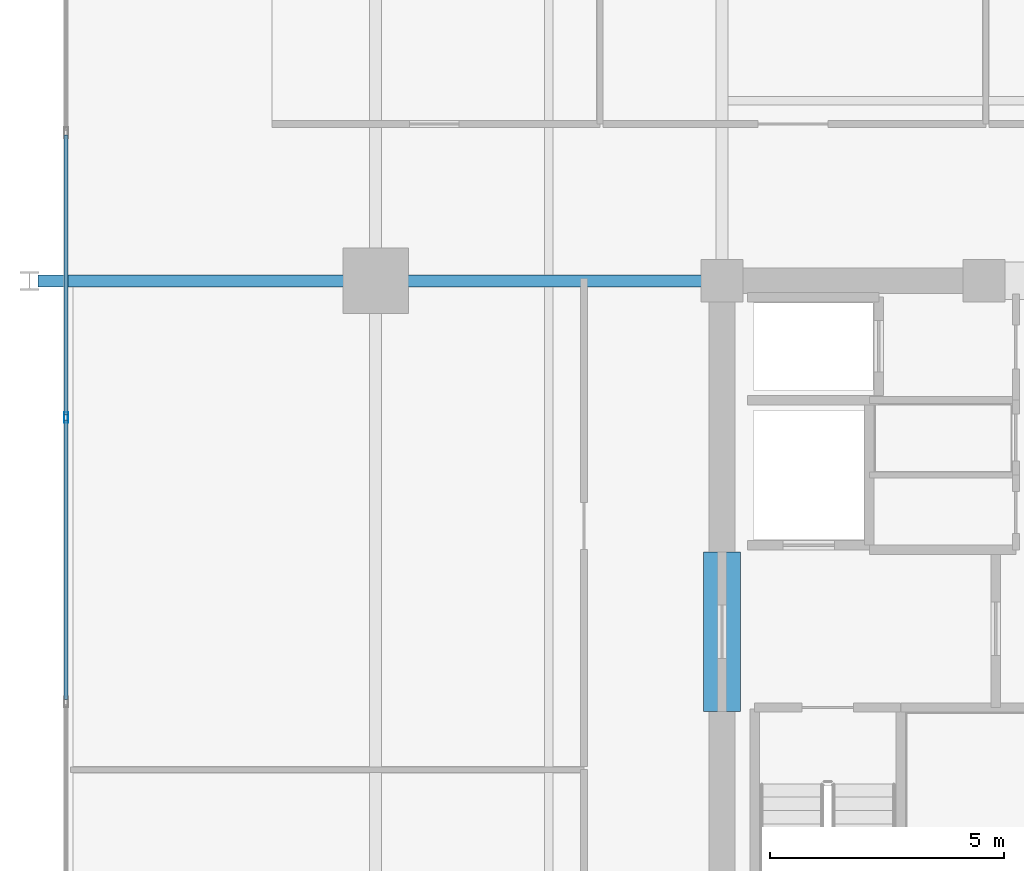
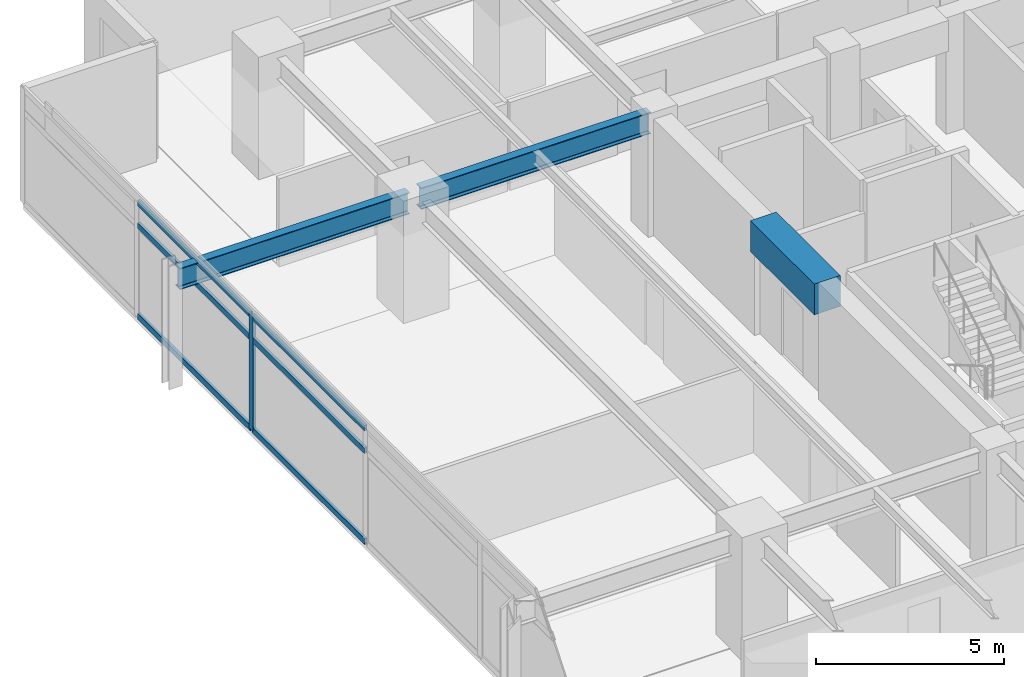
# One storey, part 7 of 21: 7 members, 3 beams, 1 element without a shape of its own.
"""IFC4 building model written with IfcOpenShell, lengths in metres."""

from ifc_helpers import new_model, si_unit, direction, frame, origin, origin_2d, place, context, subcontext, project, spatial, rectangle, hollow_rectangle, i_section, extrude, material, material_profile, profile_set, type_object, element, aggregate, save


model = new_model("IFC4")

# Units and contexts
model_context = context("Model", 3, precision=1e-05, world=origin(), true_north=direction((0.0, 1.0)))
body_context = subcontext(model_context, "Body", "Model", "MODEL_VIEW")
ifc_project = project(units=[si_unit("LENGTHUNIT", "METRE"), si_unit("AREAUNIT", "SQUARE_METRE"), si_unit("VOLUMEUNIT", "CUBIC_METRE"), si_unit("PLANEANGLEUNIT", "RADIAN"), si_unit("MASSUNIT", "GRAM", prefix="KILO")], contexts=[model_context])

# Site, building, storey
site_placement = place(None, origin())
site = spatial("IfcSite", under=ifc_project, at=site_placement, CompositionType="ELEMENT")
building_placement = place(site_placement, origin())
building = spatial("IfcBuilding", under=site, at=building_placement, Name="Kovane Verandah Tower", CompositionType="ELEMENT")
storey_placement = place(building_placement, frame((0.0, 0.0, 209.199951171875)))
storey = spatial("IfcBuildingStorey", under=building, at=storey_placement, Name="L48", CompositionType="ELEMENT", Elevation=209.199951171875)

# Beams
ifc_material_1 = material(Name="Concrete C60/75", Category="concrete")
ifc_material_profile_1 = material_profile(ifc_material_1, rectangle(XDim=0.800048828125, YDim=1.0, at=origin_2d()), Name="RCB800x1000")
ifc_profile_set_1 = profile_set([ifc_material_profile_1], Name="Concrete C60/75")
beam_type_1 = type_object("IfcBeamType", Name="BM-LINTEL-800x1000", PredefinedType="LINTEL", material=ifc_profile_set_1)
beam_placement = place(storey_placement, frame((29.0, 27.300048828125, 3.275146484375), z_axis=(0.0, 1.0, 0.0), x_axis=(-1.0, 0.0, 0.0)))
element("IfcBeam", 1, at=beam_placement, inside=storey, type_object=beam_type_1, Name="L48 Core Coupling Lintel CL-W", PredefinedType="LINTEL", context=body_context, shape_type="SweptSolid", body=[
    extrude(rectangle(XDim=0.800048828125, YDim=1.0, at=origin_2d()), origin(), (0.0, 0.0, 1.0), 3.39990234375),
])
ifc_material_2 = material(Name="Steel S355", Category="steel")
ifc_material_profile_2 = material_profile(ifc_material_2, i_section(OverallWidth=0.255859375, OverallDepth=0.69287109375, WebThickness=0.014404296875, FlangeThickness=0.023681640625, FilletRadius=0.01513671875, at=origin_2d()), Name="UB686x254x170")
ifc_profile_set_2 = profile_set([ifc_material_profile_2], Name="Steel S355")
beam_type_2 = type_object("IfcBeamType", Name="BM-UB686x170", PredefinedType="BEAM", material=ifc_profile_set_2)
for number, where, z_axis, x_axis, name in (
    (2, (28.820068359375, 36.5, 3.428466796875), (-1.0, 0.0, 0.0), (0.0, -1.0, 0.0), "L48 Primary Tower Girder G-W2"),
    (3, (21.419921875, 36.5, 3.41357421875), (-1.0, 0.0, 0.0), (0.0, -1.0, 0.0), "L48 Primary Tower Girder G-VW2"),
):
    element("IfcBeam", number, at=place(storey_placement, frame(where, z_axis=z_axis, x_axis=x_axis)), inside=storey, type_object=beam_type_2, Name=name, PredefinedType="BEAM", context=body_context, shape_type="SweptSolid", body=[
        extrude(i_section(OverallWidth=0.255859375, OverallDepth=0.69287109375, WebThickness=0.014404296875, FlangeThickness=0.023681640625, FilletRadius=0.01513671875, at=origin_2d()), origin(), (0.0, 0.0, 1.0), 7.0400390625),
    ])

# Curtain wall, members
ifc_material_3 = material(Name="Champagne Anodised Aluminium Frame with Low-E Clear Laminated Glass", Category="aluminium")
curtain_wall_type = type_object("IfcCurtainWallType", Name="CW-SYS-03-MID", PredefinedType="NOTDEFINED", material=ifc_material_3)
curtain_wall_placement = place(storey_placement, origin())
curtain_wall = element("IfcCurtainWall", 4, at=curtain_wall_placement, inside=storey, type_object=curtain_wall_type, Name="L48 W Unitised Curtain Wall", PredefinedType="NOTDEFINED")
ifc_material_4 = material(Name="Champagne Anodised Aluminium 6063-T6", Category="aluminium")
ifc_material_profile_3 = material_profile(ifc_material_4, hollow_rectangle(XDim=0.0849609375, YDim=0.22998046875, WallThickness=0.00390625, at=origin_2d()), Name="AL85x230x4")
ifc_profile_set_3 = profile_set([ifc_material_profile_3], Name="Champagne Anodised Aluminium 6063-T6")
member_type_1 = type_object("IfcMemberType", Name="CW-MUL-85x230", PredefinedType="MULLION", material=ifc_profile_set_3)
member_1_placement = place(storey_placement, frame((14.982177734375, 33.58056640625, 0.02001953125), z_axis=(0.0, 0.0, 1.0), x_axis=(-1.0, 0.0, 0.0)))
member_1 = element("IfcMember", 5, at=member_1_placement, type_object=member_type_1, Name="L48 W Unitised Curtain Wall Mullion 3", PredefinedType="MULLION", context=body_context, shape_type="SweptSolid", body=[
    extrude(hollow_rectangle(XDim=0.0849609375, YDim=0.22998046875, WallThickness=0.00390625, at=origin_2d()), origin(), (0.0, 0.0, 1.0), 3.735107421875),
])
ifc_material_profile_4 = material_profile(ifc_material_4, hollow_rectangle(XDim=0.0849609375, YDim=0.18994140625, WallThickness=0.00390625, at=origin_2d()), Name="AL85x190x4")
ifc_profile_set_4 = profile_set([ifc_material_profile_4], Name="Champagne Anodised Aluminium 6063-T6")
member_type_2 = type_object("IfcMemberType", Name="CW-TRN-85x190", PredefinedType="USERDEFINED", material=ifc_profile_set_4)
member_2_placement = place(storey_placement, frame((14.982177734375, 39.611083984375, 0.050048828125), z_axis=(0.0, -1.0, 0.0), x_axis=(1.0, 0.0, 0.0)))
member_2 = element("IfcMember", 6, at=member_2_placement, type_object=member_type_2, Name="L48 W Unitised Curtain Wall Transom TB Bay 2", ObjectType="TRANSOM", PredefinedType="USERDEFINED", context=body_context, shape_type="SweptSolid", body=[
    extrude(hollow_rectangle(XDim=0.0849609375, YDim=0.18994140625, WallThickness=0.00390625, at=origin_2d()), origin(), (0.0, 0.0, 1.0), 5.98046875),
])
member_3_placement = place(storey_placement, frame((14.982177734375, 39.611083984375, 2.9951171875), z_axis=(0.0, -1.0, 0.0), x_axis=(1.0, 0.0, 0.0)))
member_3 = element("IfcMember", 7, at=member_3_placement, type_object=member_type_2, Name="L48 W Unitised Curtain Wall Transom TM Bay 2", ObjectType="TRANSOM", PredefinedType="USERDEFINED", context=body_context, shape_type="SweptSolid", body=[
    extrude(hollow_rectangle(XDim=0.0849609375, YDim=0.18994140625, WallThickness=0.00390625, at=origin_2d()), origin(), (0.0, 0.0, 1.0), 5.98046875),
])
member_4_placement = place(storey_placement, frame((14.982177734375, 39.611083984375, 3.72509765625), z_axis=(0.0, -1.0, 0.0), x_axis=(1.0, 0.0, 0.0)))
member_4 = element("IfcMember", 8, at=member_4_placement, type_object=member_type_2, Name="L48 W Unitised Curtain Wall Transom TT Bay 2", ObjectType="TRANSOM", PredefinedType="USERDEFINED", context=body_context, shape_type="SweptSolid", body=[
    extrude(hollow_rectangle(XDim=0.0849609375, YDim=0.18994140625, WallThickness=0.00390625, at=origin_2d()), origin(), (0.0, 0.0, 1.0), 5.98046875),
])
member_5_placement = place(storey_placement, frame((14.982177734375, 33.530517578125, 0.050048828125), z_axis=(0.0, -1.0, 0.0), x_axis=(1.0, 0.0, 0.0)))
member_5 = element("IfcMember", 9, at=member_5_placement, type_object=member_type_2, Name="L48 W Unitised Curtain Wall Transom TB Bay 3", ObjectType="TRANSOM", PredefinedType="USERDEFINED", context=body_context, shape_type="SweptSolid", body=[
    extrude(hollow_rectangle(XDim=0.0849609375, YDim=0.18994140625, WallThickness=0.00390625, at=origin_2d()), origin(), (0.0, 0.0, 1.0), 5.98046875),
])
member_6_placement = place(storey_placement, frame((14.982177734375, 33.530517578125, 2.9951171875), z_axis=(0.0, -1.0, 0.0), x_axis=(1.0, 0.0, 0.0)))
member_6 = element("IfcMember", 10, at=member_6_placement, type_object=member_type_2, Name="L48 W Unitised Curtain Wall Transom TM Bay 3", ObjectType="TRANSOM", PredefinedType="USERDEFINED", context=body_context, shape_type="SweptSolid", body=[
    extrude(hollow_rectangle(XDim=0.0849609375, YDim=0.18994140625, WallThickness=0.00390625, at=origin_2d()), origin(), (0.0, 0.0, 1.0), 5.98046875),
])
member_7_placement = place(storey_placement, frame((14.982177734375, 33.530517578125, 3.72509765625), z_axis=(0.0, -1.0, 0.0), x_axis=(1.0, 0.0, 0.0)))
member_7 = element("IfcMember", 11, at=member_7_placement, type_object=member_type_2, Name="L48 W Unitised Curtain Wall Transom TT Bay 3", ObjectType="TRANSOM", PredefinedType="USERDEFINED", context=body_context, shape_type="SweptSolid", body=[
    extrude(hollow_rectangle(XDim=0.0849609375, YDim=0.18994140625, WallThickness=0.00390625, at=origin_2d()), origin(), (0.0, 0.0, 1.0), 5.98046875),
])
aggregate(curtain_wall, [member_1, member_2, member_3, member_4, member_5, member_6, member_7])

save(model, "model.ifc")
